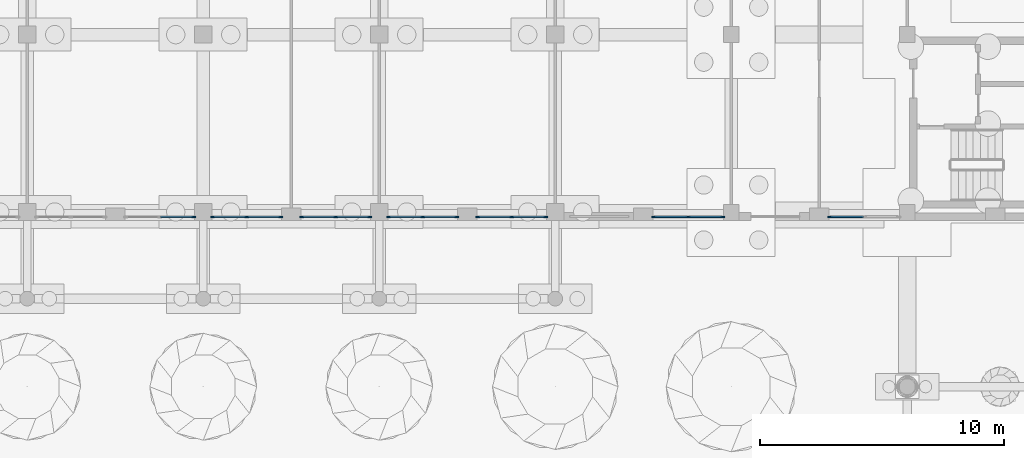
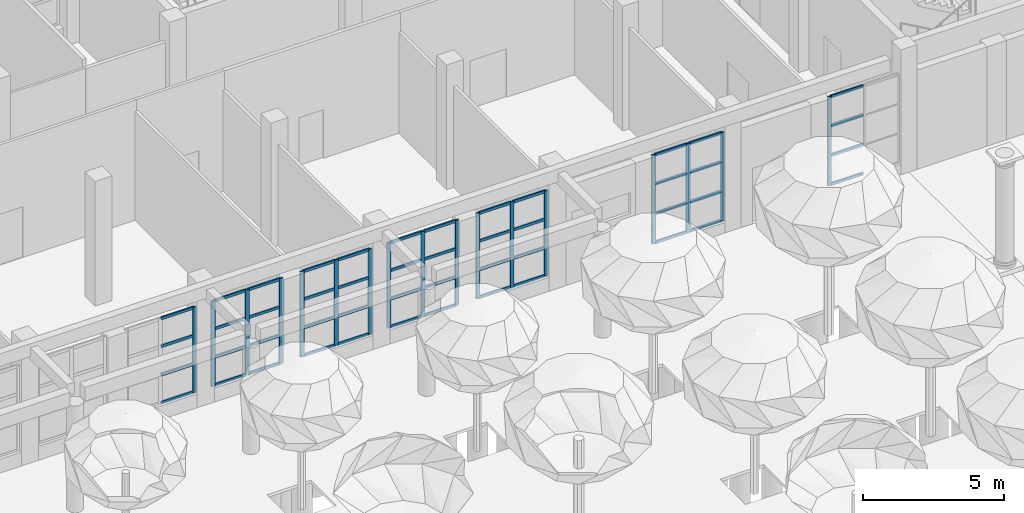
# One storey, part 27 of 80: 65 members, 7 elements without a shape of their own.
"""IFC4 building model written with IfcOpenShell, lengths in metres."""

from ifc_helpers import new_model, si_unit, direction, frame, origin, origin_2d, place, context, subcontext, project, spatial, rectangle, extrude, material, layer, layer_set, material_profile, profile_set, type_object, element, aggregate, save


model = new_model("IFC4")

# Units and contexts
model_context = context("Model", 3, precision=1e-05, world=origin(), true_north=direction((0.0, 1.0)))
body_context = subcontext(model_context, "Body", "Model", "MODEL_VIEW")
ifc_project = project(units=[si_unit("LENGTHUNIT", "METRE"), si_unit("AREAUNIT", "SQUARE_METRE"), si_unit("VOLUMEUNIT", "CUBIC_METRE"), si_unit("PLANEANGLEUNIT", "RADIAN"), si_unit("MASSUNIT", "GRAM", prefix="KILO")], contexts=[model_context])

# Site, building, storey
site_placement = place(None, origin())
site = spatial("IfcSite", under=ifc_project, at=site_placement, CompositionType="ELEMENT")
building_placement = place(site_placement, origin())
building = spatial("IfcBuilding", under=site, at=building_placement, Name="Ussher Court Research Institute", CompositionType="ELEMENT")
storey_placement = place(building_placement, origin())
storey = spatial("IfcBuildingStorey", under=building, at=storey_placement, Name="L00", CompositionType="ELEMENT", Elevation=0.0)

# Curtain wall, member
ifc_material_1 = material(Name="Bronze anodised aluminium with insulated glass", Category="aluminium")
ifc_layer_1 = layer(ifc_material_1, 0.1201171875)
ifc_layer_set_1 = layer_set([ifc_layer_1], Name="Bronze anodised aluminium with insulated glass")
curtain_wall_type_1 = type_object("IfcCurtainWallType", Name="Curtain wall clean-room lobby glazing", PredefinedType="NOTDEFINED", material=ifc_layer_set_1)
curtain_wall_1_placement = place(storey_placement, origin())
curtain_wall_1 = element("IfcCurtainWall", 1, at=curtain_wall_1_placement, inside=storey, type_object=curtain_wall_type_1, Name="Curtain wall CW8 L00", PredefinedType="NOTDEFINED")
ifc_material_2 = material(Name="Bronze anodised aluminium", Category="aluminium")
ifc_material_profile_1 = material_profile(ifc_material_2, rectangle(XDim=0.06005859375, YDim=0.159912109375, at=origin_2d()), Name="Mullion 60x160")
ifc_profile_set_1 = profile_set([ifc_material_profile_1], Name="Bronze anodised aluminium")
member_type_1 = type_object("IfcMemberType", Name="Mullion 60x160", PredefinedType="MULLION", material=ifc_profile_set_1)
member_1_placement = place(storey_placement, frame((93.429931640625, 68.550048828125, 0.449951171875), z_axis=(0.0, 0.0, 1.0), x_axis=(0.0, -1.0, 0.0)))
member_1 = element("IfcMember", 2, at=member_1_placement, type_object=member_type_1, Name="CW8 mullion 3", PredefinedType="MULLION", context=body_context, shape_type="SweptSolid", body=[
    extrude(rectangle(XDim=0.06005859375, YDim=0.159912109375, at=origin_2d()), origin(), (0.0, 0.0, 1.0), 3.85009765625),
])

# Curtain wall, members
curtain_wall_2_placement = place(storey_placement, origin())
curtain_wall_2 = element("IfcCurtainWall", 3, at=curtain_wall_2_placement, inside=storey, type_object=curtain_wall_type_1, Name="Curtain wall CW8 L00", PredefinedType="NOTDEFINED")
member_2_placement = place(storey_placement, frame((89.044921875, 68.550048828125, 0.449951171875), z_axis=(0.0, 0.0, 1.0), x_axis=(0.0, -1.0, 0.0)))
member_2 = element("IfcMember", 4, at=member_2_placement, type_object=member_type_1, Name="CW8 mullion 1", PredefinedType="MULLION", context=body_context, shape_type="SweptSolid", body=[
    extrude(rectangle(XDim=0.06005859375, YDim=0.159912109375, at=origin_2d()), origin(), (0.0, 0.0, 1.0), 3.85009765625),
])
member_3_placement = place(storey_placement, frame((87.637451171875, 68.550048828125, 0.449951171875), z_axis=(0.0, 0.0, 1.0), x_axis=(0.0, -1.0, 0.0)))
member_3 = element("IfcMember", 5, at=member_3_placement, type_object=member_type_1, Name="CW8 mullion 2", PredefinedType="MULLION", context=body_context, shape_type="SweptSolid", body=[
    extrude(rectangle(XDim=0.06005859375, YDim=0.159912109375, at=origin_2d()), origin(), (0.0, 0.0, 1.0), 3.85009765625),
])
member_4_placement = place(storey_placement, frame((86.22998046875, 68.550048828125, 0.449951171875), z_axis=(0.0, 0.0, 1.0), x_axis=(0.0, -1.0, 0.0)))
member_4 = element("IfcMember", 6, at=member_4_placement, type_object=member_type_1, Name="CW8 mullion 3", PredefinedType="MULLION", context=body_context, shape_type="SweptSolid", body=[
    extrude(rectangle(XDim=0.06005859375, YDim=0.159912109375, at=origin_2d()), origin(), (0.0, 0.0, 1.0), 3.85009765625),
])

ifc_material_3 = material(Name="Bronze anodised aluminium with laminated safety glass", Category="aluminium")
ifc_layer_2 = layer(ifc_material_3, 0.1201171875)
ifc_layer_set_2 = layer_set([ifc_layer_2], Name="Bronze anodised aluminium with laminated safety glass")
curtain_wall_type_2 = type_object("IfcCurtainWallType", Name="Curtain wall dry laboratory base storefront", PredefinedType="NOTDEFINED", material=ifc_layer_set_2)
curtain_wall_3_placement = place(storey_placement, origin())
curtain_wall_3 = element("IfcCurtainWall", 7, at=curtain_wall_3_placement, inside=storey, type_object=curtain_wall_type_2, Name="Curtain wall CW4 L00", PredefinedType="NOTDEFINED")
member_5_placement = place(storey_placement, frame((81.820068359375, 68.550048828125, 0.60009765625), z_axis=(0.0, 0.0, 1.0), x_axis=(0.0, -1.0, 0.0)))
member_5 = element("IfcMember", 8, at=member_5_placement, type_object=member_type_1, Name="CW4 mullion 1", PredefinedType="MULLION", context=body_context, shape_type="SweptSolid", body=[
    extrude(rectangle(XDim=0.06005859375, YDim=0.159912109375, at=origin_2d()), origin(), (0.0, 0.0, 1.0), 3.699951171875),
])
member_6_placement = place(storey_placement, frame((80.425048828125, 68.550048828125, 0.60009765625), z_axis=(0.0, 0.0, 1.0), x_axis=(0.0, -1.0, 0.0)))
member_6 = element("IfcMember", 9, at=member_6_placement, type_object=member_type_1, Name="CW4 mullion 2", PredefinedType="MULLION", context=body_context, shape_type="SweptSolid", body=[
    extrude(rectangle(XDim=0.06005859375, YDim=0.159912109375, at=origin_2d()), origin(), (0.0, 0.0, 1.0), 3.699951171875),
])
member_7_placement = place(storey_placement, frame((79.030029296875, 68.550048828125, 0.60009765625), z_axis=(0.0, 0.0, 1.0), x_axis=(0.0, -1.0, 0.0)))
member_7 = element("IfcMember", 10, at=member_7_placement, type_object=member_type_1, Name="CW4 mullion 3", PredefinedType="MULLION", context=body_context, shape_type="SweptSolid", body=[
    extrude(rectangle(XDim=0.06005859375, YDim=0.159912109375, at=origin_2d()), origin(), (0.0, 0.0, 1.0), 3.699951171875),
])

curtain_wall_4_placement = place(storey_placement, origin())
curtain_wall_4 = element("IfcCurtainWall", 11, at=curtain_wall_4_placement, inside=storey, type_object=curtain_wall_type_2, Name="Curtain wall CW4 L00", PredefinedType="NOTDEFINED")
member_8_placement = place(storey_placement, frame((78.169921875, 68.550048828125, 0.60009765625), z_axis=(0.0, 0.0, 1.0), x_axis=(0.0, -1.0, 0.0)))
member_8 = element("IfcMember", 12, at=member_8_placement, type_object=member_type_1, Name="CW4 mullion 1", PredefinedType="MULLION", context=body_context, shape_type="SweptSolid", body=[
    extrude(rectangle(XDim=0.06005859375, YDim=0.159912109375, at=origin_2d()), origin(), (0.0, 0.0, 1.0), 3.699951171875),
])
member_9_placement = place(storey_placement, frame((76.77490234375, 68.550048828125, 0.60009765625), z_axis=(0.0, 0.0, 1.0), x_axis=(0.0, -1.0, 0.0)))
member_9 = element("IfcMember", 13, at=member_9_placement, type_object=member_type_1, Name="CW4 mullion 2", PredefinedType="MULLION", context=body_context, shape_type="SweptSolid", body=[
    extrude(rectangle(XDim=0.06005859375, YDim=0.159912109375, at=origin_2d()), origin(), (0.0, 0.0, 1.0), 3.699951171875),
])
member_10_placement = place(storey_placement, frame((75.3798828125, 68.550048828125, 0.60009765625), z_axis=(0.0, 0.0, 1.0), x_axis=(0.0, -1.0, 0.0)))
member_10 = element("IfcMember", 14, at=member_10_placement, type_object=member_type_1, Name="CW4 mullion 3", PredefinedType="MULLION", context=body_context, shape_type="SweptSolid", body=[
    extrude(rectangle(XDim=0.06005859375, YDim=0.159912109375, at=origin_2d()), origin(), (0.0, 0.0, 1.0), 3.699951171875),
])

curtain_wall_5_placement = place(storey_placement, origin())
curtain_wall_5 = element("IfcCurtainWall", 15, at=curtain_wall_5_placement, inside=storey, type_object=curtain_wall_type_2, Name="Curtain wall CW4 L00", PredefinedType="NOTDEFINED")
member_11_placement = place(storey_placement, frame((74.6201171875, 68.550048828125, 0.60009765625), z_axis=(0.0, 0.0, 1.0), x_axis=(0.0, -1.0, 0.0)))
member_11 = element("IfcMember", 16, at=member_11_placement, type_object=member_type_1, Name="CW4 mullion 1", PredefinedType="MULLION", context=body_context, shape_type="SweptSolid", body=[
    extrude(rectangle(XDim=0.06005859375, YDim=0.159912109375, at=origin_2d()), origin(), (0.0, 0.0, 1.0), 3.699951171875),
])
member_12_placement = place(storey_placement, frame((73.22509765625, 68.550048828125, 0.60009765625), z_axis=(0.0, 0.0, 1.0), x_axis=(0.0, -1.0, 0.0)))
member_12 = element("IfcMember", 17, at=member_12_placement, type_object=member_type_1, Name="CW4 mullion 2", PredefinedType="MULLION", context=body_context, shape_type="SweptSolid", body=[
    extrude(rectangle(XDim=0.06005859375, YDim=0.159912109375, at=origin_2d()), origin(), (0.0, 0.0, 1.0), 3.699951171875),
])
member_13_placement = place(storey_placement, frame((71.830078125, 68.550048828125, 0.60009765625), z_axis=(0.0, 0.0, 1.0), x_axis=(0.0, -1.0, 0.0)))
member_13 = element("IfcMember", 18, at=member_13_placement, type_object=member_type_1, Name="CW4 mullion 3", PredefinedType="MULLION", context=body_context, shape_type="SweptSolid", body=[
    extrude(rectangle(XDim=0.06005859375, YDim=0.159912109375, at=origin_2d()), origin(), (0.0, 0.0, 1.0), 3.699951171875),
])

curtain_wall_6_placement = place(storey_placement, origin())
curtain_wall_6 = element("IfcCurtainWall", 19, at=curtain_wall_6_placement, inside=storey, type_object=curtain_wall_type_2, Name="Curtain wall CW4 L00", PredefinedType="NOTDEFINED")
member_14_placement = place(storey_placement, frame((70.969970703125, 68.550048828125, 0.60009765625), z_axis=(0.0, 0.0, 1.0), x_axis=(0.0, -1.0, 0.0)))
member_14 = element("IfcMember", 20, at=member_14_placement, type_object=member_type_1, Name="CW4 mullion 1", PredefinedType="MULLION", context=body_context, shape_type="SweptSolid", body=[
    extrude(rectangle(XDim=0.06005859375, YDim=0.159912109375, at=origin_2d()), origin(), (0.0, 0.0, 1.0), 3.699951171875),
])
member_15_placement = place(storey_placement, frame((69.574951171875, 68.550048828125, 0.60009765625), z_axis=(0.0, 0.0, 1.0), x_axis=(0.0, -1.0, 0.0)))
member_15 = element("IfcMember", 21, at=member_15_placement, type_object=member_type_1, Name="CW4 mullion 2", PredefinedType="MULLION", context=body_context, shape_type="SweptSolid", body=[
    extrude(rectangle(XDim=0.06005859375, YDim=0.159912109375, at=origin_2d()), origin(), (0.0, 0.0, 1.0), 3.699951171875),
])
member_16_placement = place(storey_placement, frame((68.179931640625, 68.550048828125, 0.60009765625), z_axis=(0.0, 0.0, 1.0), x_axis=(0.0, -1.0, 0.0)))
member_16 = element("IfcMember", 22, at=member_16_placement, type_object=member_type_1, Name="CW4 mullion 3", PredefinedType="MULLION", context=body_context, shape_type="SweptSolid", body=[
    extrude(rectangle(XDim=0.06005859375, YDim=0.159912109375, at=origin_2d()), origin(), (0.0, 0.0, 1.0), 3.699951171875),
])

# Curtain wall, member
curtain_wall_7_placement = place(storey_placement, origin())
curtain_wall_7 = element("IfcCurtainWall", 23, at=curtain_wall_7_placement, inside=storey, type_object=curtain_wall_type_2, Name="Curtain wall CW4 L00", PredefinedType="NOTDEFINED")
member_17_placement = place(storey_placement, frame((67.419921875, 68.550048828125, 0.60009765625), z_axis=(0.0, 0.0, 1.0), x_axis=(0.0, -1.0, 0.0)))
member_17 = element("IfcMember", 24, at=member_17_placement, type_object=member_type_1, Name="CW4 mullion 1", PredefinedType="MULLION", context=body_context, shape_type="SweptSolid", body=[
    extrude(rectangle(XDim=0.06005859375, YDim=0.159912109375, at=origin_2d()), origin(), (0.0, 0.0, 1.0), 3.699951171875),
])

# Member
ifc_material_4 = material(Name="Bronze anodised aluminium", Category="aluminium")
ifc_material_profile_2 = material_profile(ifc_material_4, rectangle(XDim=0.06005859375, YDim=0.1201171875, at=origin_2d()), Name="Transom 60x120")
ifc_profile_set_2 = profile_set([ifc_material_profile_2], Name="Bronze anodised aluminium")
member_type_2 = type_object("IfcMemberType", Name="Transom 60x120", PredefinedType="USERDEFINED", material=ifc_profile_set_2)
member_18_placement = place(storey_placement, frame((94.8076171875, 68.550048828125, 0.47998046875), z_axis=(-1.0, 0.0, 0.0), x_axis=(0.0, -1.0, 0.0)))
member_18 = element("IfcMember", 25, at=member_18_placement, type_object=member_type_2, Name="CW8 transom 2.1", ObjectType="TRANSOM", PredefinedType="USERDEFINED", context=body_context, shape_type="SweptSolid", body=[
    extrude(rectangle(XDim=0.06005859375, YDim=0.1201171875, at=origin_2d()), origin(), (0.0, 0.0, 1.0), 1.34765625),
])

member_19_placement = place(storey_placement, frame((94.8076171875, 68.550048828125, 1.7333984375), z_axis=(-1.0, 0.0, 0.0), x_axis=(0.0, -1.0, 0.0)))
member_19 = element("IfcMember", 26, at=member_19_placement, type_object=member_type_2, Name="CW8 transom 2.2", ObjectType="TRANSOM", PredefinedType="USERDEFINED", context=body_context, shape_type="SweptSolid", body=[
    extrude(rectangle(XDim=0.06005859375, YDim=0.1201171875, at=origin_2d()), origin(), (0.0, 0.0, 1.0), 1.34765625),
])

member_20_placement = place(storey_placement, frame((94.8076171875, 68.550048828125, 3.0166015625), z_axis=(-1.0, 0.0, 0.0), x_axis=(0.0, -1.0, 0.0)))
member_20 = element("IfcMember", 27, at=member_20_placement, type_object=member_type_2, Name="CW8 transom 2.3", ObjectType="TRANSOM", PredefinedType="USERDEFINED", context=body_context, shape_type="SweptSolid", body=[
    extrude(rectangle(XDim=0.06005859375, YDim=0.1201171875, at=origin_2d()), origin(), (0.0, 0.0, 1.0), 1.34765625),
])

member_21_placement = place(storey_placement, frame((94.8076171875, 68.550048828125, 4.27001953125), z_axis=(-1.0, 0.0, 0.0), x_axis=(0.0, -1.0, 0.0)))
member_21 = element("IfcMember", 28, at=member_21_placement, type_object=member_type_2, Name="CW8 transom 2.4", ObjectType="TRANSOM", PredefinedType="USERDEFINED", context=body_context, shape_type="SweptSolid", body=[
    extrude(rectangle(XDim=0.06005859375, YDim=0.1201171875, at=origin_2d()), origin(), (0.0, 0.0, 1.0), 1.34765625),
])

aggregate(curtain_wall_1, [member_1, member_18, member_19, member_20, member_21])

member_22_placement = place(storey_placement, frame((89.014892578125, 68.550048828125, 0.47998046875), z_axis=(-1.0, 0.0, 0.0), x_axis=(0.0, -1.0, 0.0)))
member_22 = element("IfcMember", 29, at=member_22_placement, type_object=member_type_2, Name="CW8 transom 1.1", ObjectType="TRANSOM", PredefinedType="USERDEFINED", context=body_context, shape_type="SweptSolid", body=[
    extrude(rectangle(XDim=0.06005859375, YDim=0.1201171875, at=origin_2d()), origin(), (0.0, 0.0, 1.0), 1.347412109375),
])

member_23_placement = place(storey_placement, frame((89.014892578125, 68.550048828125, 1.7333984375), z_axis=(-1.0, 0.0, 0.0), x_axis=(0.0, -1.0, 0.0)))
member_23 = element("IfcMember", 30, at=member_23_placement, type_object=member_type_2, Name="CW8 transom 1.2", ObjectType="TRANSOM", PredefinedType="USERDEFINED", context=body_context, shape_type="SweptSolid", body=[
    extrude(rectangle(XDim=0.06005859375, YDim=0.1201171875, at=origin_2d()), origin(), (0.0, 0.0, 1.0), 1.347412109375),
])

member_24_placement = place(storey_placement, frame((89.014892578125, 68.550048828125, 3.0166015625), z_axis=(-1.0, 0.0, 0.0), x_axis=(0.0, -1.0, 0.0)))
member_24 = element("IfcMember", 31, at=member_24_placement, type_object=member_type_2, Name="CW8 transom 1.3", ObjectType="TRANSOM", PredefinedType="USERDEFINED", context=body_context, shape_type="SweptSolid", body=[
    extrude(rectangle(XDim=0.06005859375, YDim=0.1201171875, at=origin_2d()), origin(), (0.0, 0.0, 1.0), 1.347412109375),
])

member_25_placement = place(storey_placement, frame((89.014892578125, 68.550048828125, 4.27001953125), z_axis=(-1.0, 0.0, 0.0), x_axis=(0.0, -1.0, 0.0)))
member_25 = element("IfcMember", 32, at=member_25_placement, type_object=member_type_2, Name="CW8 transom 1.4", ObjectType="TRANSOM", PredefinedType="USERDEFINED", context=body_context, shape_type="SweptSolid", body=[
    extrude(rectangle(XDim=0.06005859375, YDim=0.1201171875, at=origin_2d()), origin(), (0.0, 0.0, 1.0), 1.347412109375),
])

member_26_placement = place(storey_placement, frame((87.607421875, 68.550048828125, 0.47998046875), z_axis=(-1.0, 0.0, 0.0), x_axis=(0.0, -1.0, 0.0)))
member_26 = element("IfcMember", 33, at=member_26_placement, type_object=member_type_2, Name="CW8 transom 2.1", ObjectType="TRANSOM", PredefinedType="USERDEFINED", context=body_context, shape_type="SweptSolid", body=[
    extrude(rectangle(XDim=0.06005859375, YDim=0.1201171875, at=origin_2d()), origin(), (0.0, 0.0, 1.0), 1.347412109375),
])

member_27_placement = place(storey_placement, frame((87.607421875, 68.550048828125, 1.7333984375), z_axis=(-1.0, 0.0, 0.0), x_axis=(0.0, -1.0, 0.0)))
member_27 = element("IfcMember", 34, at=member_27_placement, type_object=member_type_2, Name="CW8 transom 2.2", ObjectType="TRANSOM", PredefinedType="USERDEFINED", context=body_context, shape_type="SweptSolid", body=[
    extrude(rectangle(XDim=0.06005859375, YDim=0.1201171875, at=origin_2d()), origin(), (0.0, 0.0, 1.0), 1.347412109375),
])

member_28_placement = place(storey_placement, frame((87.607421875, 68.550048828125, 3.0166015625), z_axis=(-1.0, 0.0, 0.0), x_axis=(0.0, -1.0, 0.0)))
member_28 = element("IfcMember", 35, at=member_28_placement, type_object=member_type_2, Name="CW8 transom 2.3", ObjectType="TRANSOM", PredefinedType="USERDEFINED", context=body_context, shape_type="SweptSolid", body=[
    extrude(rectangle(XDim=0.06005859375, YDim=0.1201171875, at=origin_2d()), origin(), (0.0, 0.0, 1.0), 1.347412109375),
])

member_29_placement = place(storey_placement, frame((87.607421875, 68.550048828125, 4.27001953125), z_axis=(-1.0, 0.0, 0.0), x_axis=(0.0, -1.0, 0.0)))
member_29 = element("IfcMember", 36, at=member_29_placement, type_object=member_type_2, Name="CW8 transom 2.4", ObjectType="TRANSOM", PredefinedType="USERDEFINED", context=body_context, shape_type="SweptSolid", body=[
    extrude(rectangle(XDim=0.06005859375, YDim=0.1201171875, at=origin_2d()), origin(), (0.0, 0.0, 1.0), 1.347412109375),
])

aggregate(curtain_wall_2, [member_2, member_3, member_4, member_22, member_23, member_24, member_25, member_26, member_27, member_28, member_29])

member_30_placement = place(storey_placement, frame((81.7900390625, 68.550048828125, 0.6298828125), z_axis=(-1.0, 0.0, 0.0), x_axis=(0.0, -1.0, 0.0)))
member_30 = element("IfcMember", 37, at=member_30_placement, type_object=member_type_2, Name="CW4 transom 1.1", ObjectType="TRANSOM", PredefinedType="USERDEFINED", context=body_context, shape_type="SweptSolid", body=[
    extrude(rectangle(XDim=0.06005859375, YDim=0.1201171875, at=origin_2d()), origin(), (0.0, 0.0, 1.0), 1.3349609375),
])

member_31_placement = place(storey_placement, frame((81.7900390625, 68.550048828125, 1.833251953125), z_axis=(-1.0, 0.0, 0.0), x_axis=(0.0, -1.0, 0.0)))
member_31 = element("IfcMember", 38, at=member_31_placement, type_object=member_type_2, Name="CW4 transom 1.2", ObjectType="TRANSOM", PredefinedType="USERDEFINED", context=body_context, shape_type="SweptSolid", body=[
    extrude(rectangle(XDim=0.06005859375, YDim=0.1201171875, at=origin_2d()), origin(), (0.0, 0.0, 1.0), 1.3349609375),
])

member_32_placement = place(storey_placement, frame((81.7900390625, 68.550048828125, 3.066650390625), z_axis=(-1.0, 0.0, 0.0), x_axis=(0.0, -1.0, 0.0)))
member_32 = element("IfcMember", 39, at=member_32_placement, type_object=member_type_2, Name="CW4 transom 1.3", ObjectType="TRANSOM", PredefinedType="USERDEFINED", context=body_context, shape_type="SweptSolid", body=[
    extrude(rectangle(XDim=0.06005859375, YDim=0.1201171875, at=origin_2d()), origin(), (0.0, 0.0, 1.0), 1.3349609375),
])

member_33_placement = place(storey_placement, frame((81.7900390625, 68.550048828125, 4.27001953125), z_axis=(-1.0, 0.0, 0.0), x_axis=(0.0, -1.0, 0.0)))
member_33 = element("IfcMember", 40, at=member_33_placement, type_object=member_type_2, Name="CW4 transom 1.4", ObjectType="TRANSOM", PredefinedType="USERDEFINED", context=body_context, shape_type="SweptSolid", body=[
    extrude(rectangle(XDim=0.06005859375, YDim=0.1201171875, at=origin_2d()), origin(), (0.0, 0.0, 1.0), 1.3349609375),
])

member_34_placement = place(storey_placement, frame((80.39501953125, 68.550048828125, 0.6298828125), z_axis=(-1.0, 0.0, 0.0), x_axis=(0.0, -1.0, 0.0)))
member_34 = element("IfcMember", 41, at=member_34_placement, type_object=member_type_2, Name="CW4 transom 2.1", ObjectType="TRANSOM", PredefinedType="USERDEFINED", context=body_context, shape_type="SweptSolid", body=[
    extrude(rectangle(XDim=0.06005859375, YDim=0.1201171875, at=origin_2d()), origin(), (0.0, 0.0, 1.0), 1.3349609375),
])

member_35_placement = place(storey_placement, frame((80.39501953125, 68.550048828125, 1.833251953125), z_axis=(-1.0, 0.0, 0.0), x_axis=(0.0, -1.0, 0.0)))
member_35 = element("IfcMember", 42, at=member_35_placement, type_object=member_type_2, Name="CW4 transom 2.2", ObjectType="TRANSOM", PredefinedType="USERDEFINED", context=body_context, shape_type="SweptSolid", body=[
    extrude(rectangle(XDim=0.06005859375, YDim=0.1201171875, at=origin_2d()), origin(), (0.0, 0.0, 1.0), 1.3349609375),
])

member_36_placement = place(storey_placement, frame((80.39501953125, 68.550048828125, 3.066650390625), z_axis=(-1.0, 0.0, 0.0), x_axis=(0.0, -1.0, 0.0)))
member_36 = element("IfcMember", 43, at=member_36_placement, type_object=member_type_2, Name="CW4 transom 2.3", ObjectType="TRANSOM", PredefinedType="USERDEFINED", context=body_context, shape_type="SweptSolid", body=[
    extrude(rectangle(XDim=0.06005859375, YDim=0.1201171875, at=origin_2d()), origin(), (0.0, 0.0, 1.0), 1.3349609375),
])

member_37_placement = place(storey_placement, frame((80.39501953125, 68.550048828125, 4.27001953125), z_axis=(-1.0, 0.0, 0.0), x_axis=(0.0, -1.0, 0.0)))
member_37 = element("IfcMember", 44, at=member_37_placement, type_object=member_type_2, Name="CW4 transom 2.4", ObjectType="TRANSOM", PredefinedType="USERDEFINED", context=body_context, shape_type="SweptSolid", body=[
    extrude(rectangle(XDim=0.06005859375, YDim=0.1201171875, at=origin_2d()), origin(), (0.0, 0.0, 1.0), 1.3349609375),
])

aggregate(curtain_wall_3, [member_5, member_6, member_7, member_30, member_31, member_32, member_33, member_34, member_35, member_36, member_37])

member_38_placement = place(storey_placement, frame((78.139892578125, 68.550048828125, 0.6298828125), z_axis=(-1.0, 0.0, 0.0), x_axis=(0.0, -1.0, 0.0)))
member_38 = element("IfcMember", 45, at=member_38_placement, type_object=member_type_2, Name="CW4 transom 1.1", ObjectType="TRANSOM", PredefinedType="USERDEFINED", context=body_context, shape_type="SweptSolid", body=[
    extrude(rectangle(XDim=0.06005859375, YDim=0.1201171875, at=origin_2d()), origin(), (0.0, 0.0, 1.0), 1.3349609375),
])

member_39_placement = place(storey_placement, frame((78.139892578125, 68.550048828125, 1.833251953125), z_axis=(-1.0, 0.0, 0.0), x_axis=(0.0, -1.0, 0.0)))
member_39 = element("IfcMember", 46, at=member_39_placement, type_object=member_type_2, Name="CW4 transom 1.2", ObjectType="TRANSOM", PredefinedType="USERDEFINED", context=body_context, shape_type="SweptSolid", body=[
    extrude(rectangle(XDim=0.06005859375, YDim=0.1201171875, at=origin_2d()), origin(), (0.0, 0.0, 1.0), 1.3349609375),
])

member_40_placement = place(storey_placement, frame((78.139892578125, 68.550048828125, 3.066650390625), z_axis=(-1.0, 0.0, 0.0), x_axis=(0.0, -1.0, 0.0)))
member_40 = element("IfcMember", 47, at=member_40_placement, type_object=member_type_2, Name="CW4 transom 1.3", ObjectType="TRANSOM", PredefinedType="USERDEFINED", context=body_context, shape_type="SweptSolid", body=[
    extrude(rectangle(XDim=0.06005859375, YDim=0.1201171875, at=origin_2d()), origin(), (0.0, 0.0, 1.0), 1.3349609375),
])

member_41_placement = place(storey_placement, frame((78.139892578125, 68.550048828125, 4.27001953125), z_axis=(-1.0, 0.0, 0.0), x_axis=(0.0, -1.0, 0.0)))
member_41 = element("IfcMember", 48, at=member_41_placement, type_object=member_type_2, Name="CW4 transom 1.4", ObjectType="TRANSOM", PredefinedType="USERDEFINED", context=body_context, shape_type="SweptSolid", body=[
    extrude(rectangle(XDim=0.06005859375, YDim=0.1201171875, at=origin_2d()), origin(), (0.0, 0.0, 1.0), 1.3349609375),
])

member_42_placement = place(storey_placement, frame((76.7451171875, 68.550048828125, 0.6298828125), z_axis=(-1.0, 0.0, 0.0), x_axis=(0.0, -1.0, 0.0)))
member_42 = element("IfcMember", 49, at=member_42_placement, type_object=member_type_2, Name="CW4 transom 2.1", ObjectType="TRANSOM", PredefinedType="USERDEFINED", context=body_context, shape_type="SweptSolid", body=[
    extrude(rectangle(XDim=0.06005859375, YDim=0.1201171875, at=origin_2d()), origin(), (0.0, 0.0, 1.0), 1.335205078125),
])

member_43_placement = place(storey_placement, frame((76.7451171875, 68.550048828125, 1.833251953125), z_axis=(-1.0, 0.0, 0.0), x_axis=(0.0, -1.0, 0.0)))
member_43 = element("IfcMember", 50, at=member_43_placement, type_object=member_type_2, Name="CW4 transom 2.2", ObjectType="TRANSOM", PredefinedType="USERDEFINED", context=body_context, shape_type="SweptSolid", body=[
    extrude(rectangle(XDim=0.06005859375, YDim=0.1201171875, at=origin_2d()), origin(), (0.0, 0.0, 1.0), 1.335205078125),
])

member_44_placement = place(storey_placement, frame((76.7451171875, 68.550048828125, 3.066650390625), z_axis=(-1.0, 0.0, 0.0), x_axis=(0.0, -1.0, 0.0)))
member_44 = element("IfcMember", 51, at=member_44_placement, type_object=member_type_2, Name="CW4 transom 2.3", ObjectType="TRANSOM", PredefinedType="USERDEFINED", context=body_context, shape_type="SweptSolid", body=[
    extrude(rectangle(XDim=0.06005859375, YDim=0.1201171875, at=origin_2d()), origin(), (0.0, 0.0, 1.0), 1.335205078125),
])

member_45_placement = place(storey_placement, frame((76.7451171875, 68.550048828125, 4.27001953125), z_axis=(-1.0, 0.0, 0.0), x_axis=(0.0, -1.0, 0.0)))
member_45 = element("IfcMember", 52, at=member_45_placement, type_object=member_type_2, Name="CW4 transom 2.4", ObjectType="TRANSOM", PredefinedType="USERDEFINED", context=body_context, shape_type="SweptSolid", body=[
    extrude(rectangle(XDim=0.06005859375, YDim=0.1201171875, at=origin_2d()), origin(), (0.0, 0.0, 1.0), 1.335205078125),
])

aggregate(curtain_wall_4, [member_8, member_9, member_10, member_38, member_39, member_40, member_41, member_42, member_43, member_44, member_45])

member_46_placement = place(storey_placement, frame((74.590087890625, 68.550048828125, 0.6298828125), z_axis=(-1.0, 0.0, 0.0), x_axis=(0.0, -1.0, 0.0)))
member_46 = element("IfcMember", 53, at=member_46_placement, type_object=member_type_2, Name="CW4 transom 1.1", ObjectType="TRANSOM", PredefinedType="USERDEFINED", context=body_context, shape_type="SweptSolid", body=[
    extrude(rectangle(XDim=0.06005859375, YDim=0.1201171875, at=origin_2d()), origin(), (0.0, 0.0, 1.0), 1.335205078125),
])

member_47_placement = place(storey_placement, frame((74.590087890625, 68.550048828125, 1.833251953125), z_axis=(-1.0, 0.0, 0.0), x_axis=(0.0, -1.0, 0.0)))
member_47 = element("IfcMember", 54, at=member_47_placement, type_object=member_type_2, Name="CW4 transom 1.2", ObjectType="TRANSOM", PredefinedType="USERDEFINED", context=body_context, shape_type="SweptSolid", body=[
    extrude(rectangle(XDim=0.06005859375, YDim=0.1201171875, at=origin_2d()), origin(), (0.0, 0.0, 1.0), 1.335205078125),
])

member_48_placement = place(storey_placement, frame((74.590087890625, 68.550048828125, 3.066650390625), z_axis=(-1.0, 0.0, 0.0), x_axis=(0.0, -1.0, 0.0)))
member_48 = element("IfcMember", 55, at=member_48_placement, type_object=member_type_2, Name="CW4 transom 1.3", ObjectType="TRANSOM", PredefinedType="USERDEFINED", context=body_context, shape_type="SweptSolid", body=[
    extrude(rectangle(XDim=0.06005859375, YDim=0.1201171875, at=origin_2d()), origin(), (0.0, 0.0, 1.0), 1.335205078125),
])

member_49_placement = place(storey_placement, frame((74.590087890625, 68.550048828125, 4.27001953125), z_axis=(-1.0, 0.0, 0.0), x_axis=(0.0, -1.0, 0.0)))
member_49 = element("IfcMember", 56, at=member_49_placement, type_object=member_type_2, Name="CW4 transom 1.4", ObjectType="TRANSOM", PredefinedType="USERDEFINED", context=body_context, shape_type="SweptSolid", body=[
    extrude(rectangle(XDim=0.06005859375, YDim=0.1201171875, at=origin_2d()), origin(), (0.0, 0.0, 1.0), 1.335205078125),
])

member_50_placement = place(storey_placement, frame((73.195068359375, 68.550048828125, 0.6298828125), z_axis=(-1.0, 0.0, 0.0), x_axis=(0.0, -1.0, 0.0)))
member_50 = element("IfcMember", 57, at=member_50_placement, type_object=member_type_2, Name="CW4 transom 2.1", ObjectType="TRANSOM", PredefinedType="USERDEFINED", context=body_context, shape_type="SweptSolid", body=[
    extrude(rectangle(XDim=0.06005859375, YDim=0.1201171875, at=origin_2d()), origin(), (0.0, 0.0, 1.0), 1.3349609375),
])

member_51_placement = place(storey_placement, frame((73.195068359375, 68.550048828125, 1.833251953125), z_axis=(-1.0, 0.0, 0.0), x_axis=(0.0, -1.0, 0.0)))
member_51 = element("IfcMember", 58, at=member_51_placement, type_object=member_type_2, Name="CW4 transom 2.2", ObjectType="TRANSOM", PredefinedType="USERDEFINED", context=body_context, shape_type="SweptSolid", body=[
    extrude(rectangle(XDim=0.06005859375, YDim=0.1201171875, at=origin_2d()), origin(), (0.0, 0.0, 1.0), 1.3349609375),
])

member_52_placement = place(storey_placement, frame((73.195068359375, 68.550048828125, 3.066650390625), z_axis=(-1.0, 0.0, 0.0), x_axis=(0.0, -1.0, 0.0)))
member_52 = element("IfcMember", 59, at=member_52_placement, type_object=member_type_2, Name="CW4 transom 2.3", ObjectType="TRANSOM", PredefinedType="USERDEFINED", context=body_context, shape_type="SweptSolid", body=[
    extrude(rectangle(XDim=0.06005859375, YDim=0.1201171875, at=origin_2d()), origin(), (0.0, 0.0, 1.0), 1.3349609375),
])

member_53_placement = place(storey_placement, frame((73.195068359375, 68.550048828125, 4.27001953125), z_axis=(-1.0, 0.0, 0.0), x_axis=(0.0, -1.0, 0.0)))
member_53 = element("IfcMember", 60, at=member_53_placement, type_object=member_type_2, Name="CW4 transom 2.4", ObjectType="TRANSOM", PredefinedType="USERDEFINED", context=body_context, shape_type="SweptSolid", body=[
    extrude(rectangle(XDim=0.06005859375, YDim=0.1201171875, at=origin_2d()), origin(), (0.0, 0.0, 1.0), 1.3349609375),
])

aggregate(curtain_wall_5, [member_11, member_12, member_13, member_46, member_47, member_48, member_49, member_50, member_51, member_52, member_53])

member_54_placement = place(storey_placement, frame((70.93994140625, 68.550048828125, 0.6298828125), z_axis=(-1.0, 0.0, 0.0), x_axis=(0.0, -1.0, 0.0)))
member_54 = element("IfcMember", 61, at=member_54_placement, type_object=member_type_2, Name="CW4 transom 1.1", ObjectType="TRANSOM", PredefinedType="USERDEFINED", context=body_context, shape_type="SweptSolid", body=[
    extrude(rectangle(XDim=0.06005859375, YDim=0.1201171875, at=origin_2d()), origin(), (0.0, 0.0, 1.0), 1.3349609375),
])

member_55_placement = place(storey_placement, frame((70.93994140625, 68.550048828125, 1.833251953125), z_axis=(-1.0, 0.0, 0.0), x_axis=(0.0, -1.0, 0.0)))
member_55 = element("IfcMember", 62, at=member_55_placement, type_object=member_type_2, Name="CW4 transom 1.2", ObjectType="TRANSOM", PredefinedType="USERDEFINED", context=body_context, shape_type="SweptSolid", body=[
    extrude(rectangle(XDim=0.06005859375, YDim=0.1201171875, at=origin_2d()), origin(), (0.0, 0.0, 1.0), 1.3349609375),
])

member_56_placement = place(storey_placement, frame((70.93994140625, 68.550048828125, 3.066650390625), z_axis=(-1.0, 0.0, 0.0), x_axis=(0.0, -1.0, 0.0)))
member_56 = element("IfcMember", 63, at=member_56_placement, type_object=member_type_2, Name="CW4 transom 1.3", ObjectType="TRANSOM", PredefinedType="USERDEFINED", context=body_context, shape_type="SweptSolid", body=[
    extrude(rectangle(XDim=0.06005859375, YDim=0.1201171875, at=origin_2d()), origin(), (0.0, 0.0, 1.0), 1.3349609375),
])

member_57_placement = place(storey_placement, frame((70.93994140625, 68.550048828125, 4.27001953125), z_axis=(-1.0, 0.0, 0.0), x_axis=(0.0, -1.0, 0.0)))
member_57 = element("IfcMember", 64, at=member_57_placement, type_object=member_type_2, Name="CW4 transom 1.4", ObjectType="TRANSOM", PredefinedType="USERDEFINED", context=body_context, shape_type="SweptSolid", body=[
    extrude(rectangle(XDim=0.06005859375, YDim=0.1201171875, at=origin_2d()), origin(), (0.0, 0.0, 1.0), 1.3349609375),
])

member_58_placement = place(storey_placement, frame((69.544921875, 68.550048828125, 0.6298828125), z_axis=(-1.0, 0.0, 0.0), x_axis=(0.0, -1.0, 0.0)))
member_58 = element("IfcMember", 65, at=member_58_placement, type_object=member_type_2, Name="CW4 transom 2.1", ObjectType="TRANSOM", PredefinedType="USERDEFINED", context=body_context, shape_type="SweptSolid", body=[
    extrude(rectangle(XDim=0.06005859375, YDim=0.1201171875, at=origin_2d()), origin(), (0.0, 0.0, 1.0), 1.3349609375),
])

member_59_placement = place(storey_placement, frame((69.544921875, 68.550048828125, 1.833251953125), z_axis=(-1.0, 0.0, 0.0), x_axis=(0.0, -1.0, 0.0)))
member_59 = element("IfcMember", 66, at=member_59_placement, type_object=member_type_2, Name="CW4 transom 2.2", ObjectType="TRANSOM", PredefinedType="USERDEFINED", context=body_context, shape_type="SweptSolid", body=[
    extrude(rectangle(XDim=0.06005859375, YDim=0.1201171875, at=origin_2d()), origin(), (0.0, 0.0, 1.0), 1.3349609375),
])

member_60_placement = place(storey_placement, frame((69.544921875, 68.550048828125, 3.066650390625), z_axis=(-1.0, 0.0, 0.0), x_axis=(0.0, -1.0, 0.0)))
member_60 = element("IfcMember", 67, at=member_60_placement, type_object=member_type_2, Name="CW4 transom 2.3", ObjectType="TRANSOM", PredefinedType="USERDEFINED", context=body_context, shape_type="SweptSolid", body=[
    extrude(rectangle(XDim=0.06005859375, YDim=0.1201171875, at=origin_2d()), origin(), (0.0, 0.0, 1.0), 1.3349609375),
])

member_61_placement = place(storey_placement, frame((69.544921875, 68.550048828125, 4.27001953125), z_axis=(-1.0, 0.0, 0.0), x_axis=(0.0, -1.0, 0.0)))
member_61 = element("IfcMember", 68, at=member_61_placement, type_object=member_type_2, Name="CW4 transom 2.4", ObjectType="TRANSOM", PredefinedType="USERDEFINED", context=body_context, shape_type="SweptSolid", body=[
    extrude(rectangle(XDim=0.06005859375, YDim=0.1201171875, at=origin_2d()), origin(), (0.0, 0.0, 1.0), 1.3349609375),
])

aggregate(curtain_wall_6, [member_14, member_15, member_16, member_54, member_55, member_56, member_57, member_58, member_59, member_60, member_61])

member_62_placement = place(storey_placement, frame((67.389892578125, 68.550048828125, 0.6298828125), z_axis=(-1.0, 0.0, 0.0), x_axis=(0.0, -1.0, 0.0)))
member_62 = element("IfcMember", 69, at=member_62_placement, type_object=member_type_2, Name="CW4 transom 1.1", ObjectType="TRANSOM", PredefinedType="USERDEFINED", context=body_context, shape_type="SweptSolid", body=[
    extrude(rectangle(XDim=0.06005859375, YDim=0.1201171875, at=origin_2d()), origin(), (0.0, 0.0, 1.0), 1.3349609375),
])

member_63_placement = place(storey_placement, frame((67.389892578125, 68.550048828125, 1.833251953125), z_axis=(-1.0, 0.0, 0.0), x_axis=(0.0, -1.0, 0.0)))
member_63 = element("IfcMember", 70, at=member_63_placement, type_object=member_type_2, Name="CW4 transom 1.2", ObjectType="TRANSOM", PredefinedType="USERDEFINED", context=body_context, shape_type="SweptSolid", body=[
    extrude(rectangle(XDim=0.06005859375, YDim=0.1201171875, at=origin_2d()), origin(), (0.0, 0.0, 1.0), 1.3349609375),
])

member_64_placement = place(storey_placement, frame((67.389892578125, 68.550048828125, 3.066650390625), z_axis=(-1.0, 0.0, 0.0), x_axis=(0.0, -1.0, 0.0)))
member_64 = element("IfcMember", 71, at=member_64_placement, type_object=member_type_2, Name="CW4 transom 1.3", ObjectType="TRANSOM", PredefinedType="USERDEFINED", context=body_context, shape_type="SweptSolid", body=[
    extrude(rectangle(XDim=0.06005859375, YDim=0.1201171875, at=origin_2d()), origin(), (0.0, 0.0, 1.0), 1.3349609375),
])

member_65_placement = place(storey_placement, frame((67.389892578125, 68.550048828125, 4.27001953125), z_axis=(-1.0, 0.0, 0.0), x_axis=(0.0, -1.0, 0.0)))
member_65 = element("IfcMember", 72, at=member_65_placement, type_object=member_type_2, Name="CW4 transom 1.4", ObjectType="TRANSOM", PredefinedType="USERDEFINED", context=body_context, shape_type="SweptSolid", body=[
    extrude(rectangle(XDim=0.06005859375, YDim=0.1201171875, at=origin_2d()), origin(), (0.0, 0.0, 1.0), 1.3349609375),
])

aggregate(curtain_wall_7, [member_17, member_62, member_63, member_64, member_65])

save(model, "model.ifc")
